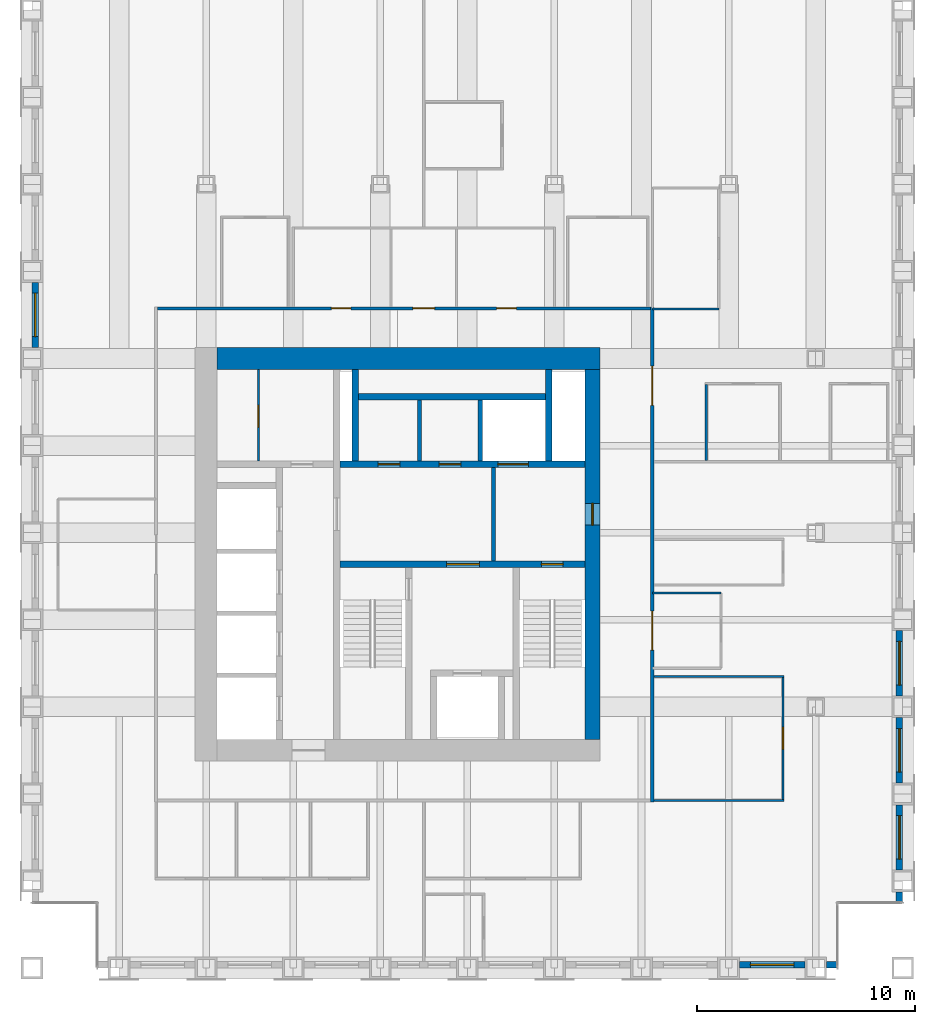
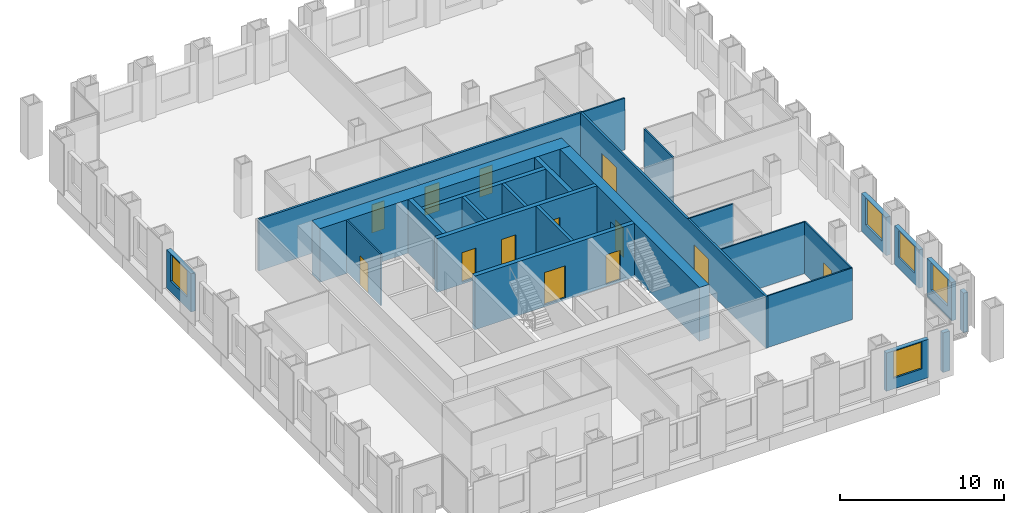
# One storey, part 10 of 14: 26 walls, 13 doors, 5 windows, 18 openings.
"""IFC4 building model written with IfcOpenShell, lengths in metres."""

from ifc_helpers import new_model, si_unit, direction, frame, frame_2d, origin, place, context, subcontext, project, spatial, rectangle, extrude, material, layer, layer_set, type_object, element, fill, save


model = new_model("IFC4")

# Units and contexts
model_context = context("Model", 3, precision=1e-05, world=origin(), true_north=direction((0.0, 1.0)))
body_context = subcontext(model_context, "Body", "Model", "MODEL_VIEW")
ifc_project = project(units=[si_unit("LENGTHUNIT", "METRE"), si_unit("AREAUNIT", "SQUARE_METRE"), si_unit("VOLUMEUNIT", "CUBIC_METRE"), si_unit("PLANEANGLEUNIT", "RADIAN"), si_unit("MASSUNIT", "GRAM", prefix="KILO")], contexts=[model_context])

# Site, building, storey
site_placement = place(None, origin())
site = spatial("IfcSite", under=ifc_project, at=site_placement, CompositionType="ELEMENT")
building_placement = place(site_placement, origin())
building = spatial("IfcBuilding", under=site, at=building_placement, Name="Rimbunsela Tower", CompositionType="ELEMENT")
storey_placement = place(building_placement, frame((0.0, 0.0, 230.199951171875)))
storey = spatial("IfcBuildingStorey", under=building, at=storey_placement, Name="L55", CompositionType="ELEMENT", Elevation=230.199951171875)

# Wall, openings, doors
ifc_material_1 = material(Name="Concrete fc' 80 MPa", Category="concrete")
ifc_layer_1 = layer(ifc_material_1, 0.300048828125)
ifc_layer_set_1 = layer_set([ifc_layer_1], Name="Core internal wall 300")
wall_type_1 = type_object("IfcWallType", Name="Core internal wall 300", PredefinedType="SHEAR", material=ifc_layer_set_1)
wall_1_placement = place(storey_placement, frame((24.14990234375, 26.550048828125, -0.14990234375), z_axis=(0.0, 0.0, 1.0), x_axis=(1.0, 0.0, 0.0)))
wall_1 = element("IfcWall", 1, at=wall_1_placement, inside=storey, type_object=wall_type_1, Name="Core wall lobby south", PredefinedType="SHEAR", context=body_context, shape_type="SweptSolid", body=[
    extrude(rectangle(XDim=11.25, YDim=0.300048828125, at=frame_2d((5.625, 0.0))), origin(), (0.0, 0.0, 1.0), 4.0),
])
opening_1_placement = place(wall_1_placement, frame((9.25, 0.0, 0.14990234375)))
opening_1 = element("IfcOpeningElement", 2, at=opening_1_placement, cuts=wall_1, Name="Opening D01", PredefinedType="OPENING", context=body_context, shape_type="SweptSolid", body=[
    extrude(rectangle(XDim=1.0, YDim=2.199951171875, at=frame_2d((0.5, 1.10009765625))), frame((0.0, 0.159912109375, 0.0), z_axis=(0.0, -1.0, 0.0), x_axis=(1.0, 0.0, 0.0)), (0.0, 0.0, 1.0), 0.320068359375),
])
opening_2_placement = place(wall_1_placement, frame((4.89990234375, 0.0, 0.14990234375)))
opening_2 = element("IfcOpeningElement", 3, at=opening_2_placement, cuts=wall_1, Name="Opening D03", PredefinedType="OPENING", context=body_context, shape_type="SweptSolid", body=[
    extrude(rectangle(XDim=1.5, YDim=2.39990234375, at=frame_2d((0.75, 1.199951171875))), frame((0.0, 0.159912109375, 0.0), z_axis=(0.0, -1.0, 0.0), x_axis=(1.0, 0.0, 0.0)), (0.0, 0.0, 1.0), 0.320068359375),
])
ifc_material_2 = material(Name="Steel door, fire rated", Category="steel")
door_type_1 = type_object("IfcDoorType", Name="Core lobby door 1500", OperationType="DOUBLE_DOOR_DOUBLE_SWING", PredefinedType="DOOR", material=ifc_material_2)
door_1_placement = place(opening_2_placement, origin())
door_1 = element("IfcDoor", 4, at=door_1_placement, inside=storey, type_object=door_type_1, Name="Firefighting lobby door", OperationType="DOUBLE_DOOR_DOUBLE_SWING", OverallHeight=2.39990234375, OverallWidth=1.5, PredefinedType="DOOR", context=body_context, shape_type="SweptSolid", body=[
    extrude(rectangle(XDim=1.5, YDim=2.39990234375, at=frame_2d((0.75, 1.199951171875))), frame((0.0, 0.02490234375, 0.0), z_axis=(0.0, -1.0, 0.0), x_axis=(1.0, 0.0, 0.0)), (0.0, 0.0, 1.0), 0.050048828125),
])
fill(opening_2, door_1)
ifc_material_3 = material(Name="Steel door, fire rated", Category="steel")
door_type_2 = type_object("IfcDoorType", Name="Stair door 1000", OperationType="SINGLE_SWING_RIGHT", PredefinedType="DOOR", material=ifc_material_3)
door_2_placement = place(opening_1_placement, frame((1.0, 0.0, 0.0), z_axis=(0.0, 0.0, 1.0), x_axis=(-1.0, 0.0, 0.0)))
door_2 = element("IfcDoor", 5, at=door_2_placement, inside=storey, type_object=door_type_2, Name="Stair B door", OperationType="SINGLE_SWING_RIGHT", OverallHeight=2.199951171875, OverallWidth=1.0, PredefinedType="DOOR", context=body_context, shape_type="SweptSolid", body=[
    extrude(rectangle(XDim=1.0, YDim=2.199951171875, at=frame_2d((0.5, 1.10009765625))), frame((0.0, 0.02490234375, 0.0), z_axis=(0.0, -1.0, 0.0), x_axis=(1.0, 0.0, 0.0)), (0.0, 0.0, 1.0), 0.050048828125),
])
fill(opening_1, door_2)

wall_2_placement = place(storey_placement, frame((24.14990234375, 31.14990234375, -0.14990234375), z_axis=(0.0, 0.0, 1.0), x_axis=(1.0, 0.0, 0.0)))
wall_2 = element("IfcWall", 6, at=wall_2_placement, inside=storey, type_object=wall_type_1, Name="Lift shaft front north", PredefinedType="SHEAR", context=body_context, shape_type="SweptSolid", body=[
    extrude(rectangle(XDim=11.25, YDim=0.300048828125, at=frame_2d((5.625, 0.0))), origin(), (0.0, 0.0, 1.0), 4.0),
])
opening_3_placement = place(wall_2_placement, frame((1.75, 0.0, 0.14990234375)))
opening_3 = element("IfcOpeningElement", 7, at=opening_3_placement, cuts=wall_2, Name="Opening D19", PredefinedType="OPENING", context=body_context, shape_type="SweptSolid", body=[
    extrude(rectangle(XDim=1.0, YDim=2.199951171875, at=frame_2d((0.5, 1.10009765625))), frame((0.0, 0.159912109375, 0.0), z_axis=(0.0, -1.0, 0.0), x_axis=(1.0, 0.0, 0.0)), (0.0, 0.0, 1.0), 0.320068359375),
])
opening_4_placement = place(wall_2_placement, frame((4.550048828125, 0.0, 0.14990234375)))
opening_4 = element("IfcOpeningElement", 8, at=opening_4_placement, cuts=wall_2, Name="Opening D19", PredefinedType="OPENING", context=body_context, shape_type="SweptSolid", body=[
    extrude(rectangle(XDim=1.0, YDim=2.199951171875, at=frame_2d((0.5, 1.10009765625))), frame((0.0, 0.159912109375, 0.0), z_axis=(0.0, -1.0, 0.0), x_axis=(1.0, 0.0, 0.0)), (0.0, 0.0, 1.0), 0.320068359375),
])
opening_5_placement = place(wall_2_placement, frame((7.25, 0.0, 0.14990234375)))
opening_5 = element("IfcOpeningElement", 9, at=opening_5_placement, cuts=wall_2, Name="Opening LD3", PredefinedType="OPENING", context=body_context, shape_type="SweptSolid", body=[
    extrude(rectangle(XDim=1.39990234375, YDim=2.39990234375, at=frame_2d((0.699951171875, 1.199951171875))), frame((0.0, 0.159912109375, 0.0), z_axis=(0.0, -1.0, 0.0), x_axis=(1.0, 0.0, 0.0)), (0.0, 0.0, 1.0), 0.320068359375),
])
ifc_material_4 = material(Name="Steel door, fire rated", Category="steel")
door_type_3 = type_object("IfcDoorType", Name="Lift landing door 1400", OperationType="DOUBLE_DOOR_SLIDING", PredefinedType="DOOR", material=ifc_material_4)
door_3_placement = place(opening_5_placement, origin())
door_3 = element("IfcDoor", 10, at=door_3_placement, inside=storey, type_object=door_type_3, Name="Lift landing door FL2", OperationType="DOUBLE_DOOR_SLIDING", OverallHeight=2.39990234375, OverallWidth=1.39990234375, PredefinedType="DOOR", context=body_context, shape_type="SweptSolid", body=[
    extrude(rectangle(XDim=1.39990234375, YDim=2.39990234375, at=frame_2d((0.699951171875, 1.199951171875))), frame((0.0, 0.02490234375, 0.0), z_axis=(0.0, -1.0, 0.0), x_axis=(1.0, 0.0, 0.0)), (0.0, 0.0, 1.0), 0.050048828125),
])
fill(opening_5, door_3)
ifc_material_5 = material(Name="Steel door, fire rated", Category="steel")
door_type_4 = type_object("IfcDoorType", Name="Service door 1000 fire rated", OperationType="SINGLE_SWING_LEFT", PredefinedType="DOOR", material=ifc_material_5)
door_4_placement = place(opening_3_placement, origin())
door_4 = element("IfcDoor", 11, at=door_4_placement, inside=storey, type_object=door_type_4, Name="IT room door", OperationType="SINGLE_SWING_LEFT", OverallHeight=2.199951171875, OverallWidth=1.0, PredefinedType="DOOR", context=body_context, shape_type="SweptSolid", body=[
    extrude(rectangle(XDim=1.0, YDim=2.199951171875, at=frame_2d((0.5, 1.10009765625))), frame((0.0, 0.02490234375, 0.0), z_axis=(0.0, -1.0, 0.0), x_axis=(1.0, 0.0, 0.0)), (0.0, 0.0, 1.0), 0.050048828125),
])
fill(opening_3, door_4)
door_5_placement = place(opening_4_placement, origin())
door_5 = element("IfcDoor", 12, at=door_5_placement, inside=storey, type_object=door_type_4, Name="Tenant store door", OperationType="SINGLE_SWING_LEFT", OverallHeight=2.199951171875, OverallWidth=1.0, PredefinedType="DOOR", context=body_context, shape_type="SweptSolid", body=[
    extrude(rectangle(XDim=1.0, YDim=2.199951171875, at=frame_2d((0.5, 1.10009765625))), frame((0.0, 0.02490234375, 0.0), z_axis=(0.0, -1.0, 0.0), x_axis=(1.0, 0.0, 0.0)), (0.0, 0.0, 1.0), 0.050048828125),
])
fill(opening_4, door_5)

# Walls
for number, where, z_axis, x_axis, name in (
    (13, (24.85009765625, 31.300048828125, -0.14990234375), (0.0, 0.0, 1.0), (0.0, 1.0, 0.0), "Riser wall"),
    (14, (33.75, 31.300048828125, -0.14990234375), (0.0, 0.0, 1.0), (0.0, 1.0, 0.0), "Riser wall"),
):
    element("IfcWall", number, at=place(storey_placement, frame(where, z_axis=z_axis, x_axis=x_axis)), inside=storey, type_object=wall_type_1, Name=name, PredefinedType="SHEAR", context=body_context, shape_type="SweptSolid", body=[
        extrude(rectangle(XDim=4.199951171875, YDim=0.300048828125, at=frame_2d((2.10009765625, 0.0))), origin(), (0.0, 0.0, 1.0), 4.0),
    ])
wall_3_placement = place(storey_placement, frame((25.0, 34.25, -0.14990234375), z_axis=(0.0, 0.0, 1.0), x_axis=(1.0, 0.0, 0.0)))
element("IfcWall", 15, at=wall_3_placement, inside=storey, type_object=wall_type_1, Name="Lift shaft rear north", PredefinedType="SHEAR", context=body_context, shape_type="SweptSolid", body=[
    extrude(rectangle(XDim=8.60009765625, YDim=0.300048828125, at=frame_2d((4.300048828125, 0.0))), origin(), (0.0, 0.0, 1.0), 4.0),
])

# Wall, opening, door
ifc_material_6 = material(Name="Concrete blockwork", Category="masonry")
ifc_layer_2 = layer(ifc_material_6, 0.10009765625)
ifc_layer_set_2 = layer_set([ifc_layer_2], Name="Core room partition 100")
wall_type_2 = type_object("IfcWallType", Name="Core room partition 100", PredefinedType="PARTITIONING", material=ifc_layer_set_2)
wall_4_placement = place(storey_placement, frame((20.39990234375, 31.300048828125, 0.0), z_axis=(0.0, 0.0, 1.0), x_axis=(0.0, 1.0, 0.0)))
wall_4 = element("IfcWall", 16, at=wall_4_placement, inside=storey, type_object=wall_type_2, Name="Equipment store wall", PredefinedType="PARTITIONING", context=body_context, shape_type="SweptSolid", body=[
    extrude(rectangle(XDim=4.199951171875, YDim=0.10009765625, at=frame_2d((2.10009765625, 0.0))), origin(), (0.0, 0.0, 1.0), 3.85009765625),
])
opening_6_placement = place(wall_4_placement, frame((1.550048828125, 0.0, 0.0)))
opening_6 = element("IfcOpeningElement", 17, at=opening_6_placement, cuts=wall_4, Name="Opening D19", PredefinedType="OPENING", context=body_context, shape_type="SweptSolid", body=[
    extrude(rectangle(XDim=1.0, YDim=2.199951171875, at=frame_2d((0.5, 1.10009765625))), frame((0.0, 0.06005859375, 0.0), z_axis=(0.0, -1.0, 0.0), x_axis=(1.0, 0.0, 0.0)), (0.0, 0.0, 1.0), 0.1201171875),
])
door_6_placement = place(opening_6_placement, origin())
door_6 = element("IfcDoor", 18, at=door_6_placement, inside=storey, type_object=door_type_4, Name="Equipment store door", OperationType="SINGLE_SWING_LEFT", OverallHeight=2.199951171875, OverallWidth=1.0, PredefinedType="DOOR", context=body_context, shape_type="SweptSolid", body=[
    extrude(rectangle(XDim=1.0, YDim=2.199951171875, at=frame_2d((0.5, 1.10009765625))), frame((0.0, 0.02490234375, 0.0), z_axis=(0.0, -1.0, 0.0), x_axis=(1.0, 0.0, 0.0)), (0.0, 0.0, 1.0), 0.050048828125),
])
fill(opening_6, door_6)

# Wall
ifc_material_7 = material(Name="Concrete fc' 80 MPa", Category="concrete")
ifc_layer_3 = layer(ifc_material_7, 1.0)
ifc_layer_set_3 = layer_set([ifc_layer_3], Name="Core wall 1000")
wall_type_3 = type_object("IfcWallType", Name="Core wall 1000", PredefinedType="SHEAR", material=ifc_layer_set_3)
wall_5_placement = place(storey_placement, frame((18.5, 36.0, -0.14990234375), z_axis=(0.0, 0.0, 1.0), x_axis=(1.0, 0.0, 0.0)))
element("IfcWall", 19, at=wall_5_placement, inside=storey, type_object=wall_type_3, Name="Core wall north", PredefinedType="SHEAR", context=body_context, shape_type="SweptSolid", body=[
    extrude(rectangle(XDim=17.60009765625, YDim=1.0, at=frame_2d((8.800048828125, 0.0))), origin(), (0.0, 0.0, 1.0), 4.0),
])

# Wall, opening, door
ifc_material_8 = material(Name="Concrete fc' 80 MPa", Category="concrete")
ifc_layer_4 = layer(ifc_material_8, 0.699951171875)
ifc_layer_set_4 = layer_set([ifc_layer_4], Name="Core wall 700 east")
wall_type_4 = type_object("IfcWallType", Name="Core wall 700 east", PredefinedType="SHEAR", material=ifc_layer_set_4)
wall_6_placement = place(storey_placement, frame((35.75, 18.5, -0.14990234375), z_axis=(0.0, 0.0, 1.0), x_axis=(0.0, 1.0, 0.0)))
wall_6 = element("IfcWall", 20, at=wall_6_placement, inside=storey, type_object=wall_type_4, Name="Core wall east", PredefinedType="SHEAR", context=body_context, shape_type="SweptSolid", body=[
    extrude(rectangle(XDim=17.0, YDim=0.699951171875, at=frame_2d((8.5, 0.0))), origin(), (0.0, 0.0, 1.0), 4.0),
])
opening_7_placement = place(wall_6_placement, frame((9.85009765625, 0.0, 0.14990234375)))
opening_7 = element("IfcOpeningElement", 21, at=opening_7_placement, cuts=wall_6, Name="Opening D01", PredefinedType="OPENING", context=body_context, shape_type="SweptSolid", body=[
    extrude(rectangle(XDim=1.0, YDim=2.199951171875, at=frame_2d((0.5, 1.10009765625))), frame((0.0, 0.35986328125, 0.0), z_axis=(0.0, -1.0, 0.0), x_axis=(1.0, 0.0, 0.0)), (0.0, 0.0, 1.0), 0.719970703125),
])
door_7_placement = place(opening_7_placement, origin())
door_7 = element("IfcDoor", 22, at=door_7_placement, inside=storey, type_object=door_type_2, Name="Firefighting lobby 2 door", OperationType="SINGLE_SWING_RIGHT", OverallHeight=2.199951171875, OverallWidth=1.0, PredefinedType="DOOR", context=body_context, shape_type="SweptSolid", body=[
    extrude(rectangle(XDim=1.0, YDim=2.199951171875, at=frame_2d((0.5, 1.10009765625))), frame((0.0, 0.02490234375, 0.0), z_axis=(0.0, -1.0, 0.0), x_axis=(1.0, 0.0, 0.0)), (0.0, 0.0, 1.0), 0.050048828125),
])
fill(opening_7, door_7)

# Walls
ifc_material_9 = material(Name="Concrete blockwork", Category="masonry")
ifc_layer_5 = layer(ifc_material_9, 0.199951171875)
ifc_layer_set_5 = layer_set([ifc_layer_5], Name="Lift shaft wall 200")
wall_type_5 = type_object("IfcWallType", Name="Lift shaft wall 200", PredefinedType="SOLIDWALL", material=ifc_layer_set_5)
for number, where, z_axis, x_axis, name in (
    (23, (27.800048828125, 31.300048828125, -0.14990234375), (0.0, 0.0, 1.0), (0.0, 1.0, 0.0), "Lift shaft separation"),
    (24, (30.60009765625, 31.300048828125, -0.14990234375), (0.0, 0.0, 1.0), (0.0, 1.0, 0.0), "Lift shaft separation"),
):
    element("IfcWall", number, at=place(storey_placement, frame(where, z_axis=z_axis, x_axis=x_axis)), inside=storey, type_object=wall_type_5, Name=name, PredefinedType="SOLIDWALL", context=body_context, shape_type="SweptSolid", body=[
        extrude(rectangle(XDim=2.800048828125, YDim=0.199951171875, at=frame_2d((1.39990234375, 0.0))), origin(), (0.0, 0.0, 1.0), 4.0),
    ])
wall_7_placement = place(storey_placement, frame((31.199951171875, 26.699951171875, 0.0), z_axis=(0.0, 0.0, 1.0), x_axis=(0.0, 1.0, 0.0)))
element("IfcWall", 25, at=wall_7_placement, inside=storey, type_object=wall_type_5, Name="Firefighting lobby 2 wall", PredefinedType="SOLIDWALL", context=body_context, shape_type="SweptSolid", body=[
    extrude(rectangle(XDim=4.300048828125, YDim=0.199951171875, at=frame_2d((2.14990234375, 0.0))), origin(), (0.0, 0.0, 1.0), 3.85009765625),
])
ifc_material_10 = material(Name="Gypsum board on steel studs", Category="steel")
ifc_layer_6 = layer(ifc_material_10, 0.10009765625)
ifc_layer_set_6 = layer_set([ifc_layer_6], Name="Office partition 100")
wall_type_6 = type_object("IfcWallType", Name="Office partition 100", PredefinedType="PARTITIONING", material=ifc_layer_set_6)
for number, where, z_axis, x_axis, name in (
    (26, (38.574951171875, 15.699951171875, 0.0), (0.0, 0.0, 1.0), (1.0, 0.0, 0.0), "Office partition"),
    (27, (38.574951171875, 21.39892578125, 0.0), (0.0, 0.0, 1.0), (1.0, 0.0, 0.0), "Office partition"),
):
    element("IfcWall", number, at=place(storey_placement, frame(where, z_axis=z_axis, x_axis=x_axis)), inside=storey, type_object=wall_type_6, Name=name, PredefinedType="PARTITIONING", context=body_context, shape_type="SweptSolid", body=[
        extrude(rectangle(XDim=5.97509765625, YDim=0.10009765625, at=frame_2d((2.987548828125, 0.0))), origin(), (0.0, 0.0, 1.0), 3.85009765625),
    ])
wall_8_placement = place(storey_placement, frame((40.97509765625, 31.31005859375, 0.0), z_axis=(0.0, 0.0, 1.0), x_axis=(0.0, 1.0, 0.0)))
element("IfcWall", 28, at=wall_8_placement, inside=storey, type_object=wall_type_6, Name="Office partition", PredefinedType="PARTITIONING", context=body_context, shape_type="SweptSolid", body=[
    extrude(rectangle(XDim=3.489990234375, YDim=0.10009765625, at=frame_2d((1.7451171875, 0.0))), origin(), (0.0, 0.0, 1.0), 3.85009765625),
])

# Wall, opening, door
wall_9_placement = place(storey_placement, frame((44.5, 15.75, 0.0), z_axis=(0.0, 0.0, 1.0), x_axis=(0.0, 1.0, 0.0)))
wall_9 = element("IfcWall", 29, at=wall_9_placement, inside=storey, type_object=wall_type_6, Name="Office partition", PredefinedType="PARTITIONING", context=body_context, shape_type="SweptSolid", body=[
    extrude(rectangle(XDim=5.59912109375, YDim=0.10009765625, at=frame_2d((2.799560546875, 0.0))), origin(), (0.0, 0.0, 1.0), 3.85009765625),
])
opening_8_placement = place(wall_9_placement, frame((2.299560546875, 0.0, 0.0)))
opening_8 = element("IfcOpeningElement", 30, at=opening_8_placement, cuts=wall_9, Name="Opening D16", PredefinedType="OPENING", context=body_context, shape_type="SweptSolid", body=[
    extrude(rectangle(XDim=1.0, YDim=2.199951171875, at=frame_2d((0.5, 1.10009765625))), frame((0.0, 0.06005859375, 0.0), z_axis=(0.0, -1.0, 0.0), x_axis=(1.0, 0.0, 0.0)), (0.0, 0.0, 1.0), 0.1201171875),
])
ifc_material_11 = material(Name="Timber door", Category="wood")
door_type_5 = type_object("IfcDoorType", Name="Office door 1000", OperationType="SINGLE_SWING_LEFT", PredefinedType="DOOR", material=ifc_material_11)
door_8_placement = place(opening_8_placement, origin())
door_8 = element("IfcDoor", 31, at=door_8_placement, inside=storey, type_object=door_type_5, Name="Office door", OperationType="SINGLE_SWING_LEFT", OverallHeight=2.199951171875, OverallWidth=1.0, PredefinedType="DOOR", context=body_context, shape_type="SweptSolid", body=[
    extrude(rectangle(XDim=1.0, YDim=2.199951171875, at=frame_2d((0.5, 1.10009765625))), frame((0.0, 0.02490234375, 0.0), z_axis=(0.0, -1.0, 0.0), x_axis=(1.0, 0.0, 0.0)), (0.0, 0.0, 1.0), 0.050048828125),
])
fill(opening_8, door_8)

# Walls
wall_10_placement = place(storey_placement, frame((41.64990234375, 25.22412109375, 0.0), z_axis=(0.0, 0.0, 1.0), x_axis=(-1.0, 0.0, 0.0)))
element("IfcWall", 32, at=wall_10_placement, inside=storey, type_object=wall_type_6, Name="Office partition", PredefinedType="PARTITIONING", context=body_context, shape_type="SweptSolid", body=[
    extrude(rectangle(XDim=3.14990234375, YDim=0.10009765625, at=frame_2d((1.574951171875, 0.0))), origin(), (0.0, 0.0, 1.0), 3.85009765625),
])
wall_11_placement = place(storey_placement, frame((38.5, 38.27587890625, 0.0), z_axis=(0.0, 0.0, 1.0), x_axis=(1.0, 0.0, 0.0)))
element("IfcWall", 33, at=wall_11_placement, inside=storey, type_object=wall_type_6, Name="Office partition", PredefinedType="PARTITIONING", context=body_context, shape_type="SweptSolid", body=[
    extrude(rectangle(XDim=3.050048828125, YDim=0.10009765625, at=frame_2d((1.52490234375, 0.0))), origin(), (0.0, 0.0, 1.0), 3.85009765625),
])

# Wall, opening, window
ifc_material_12 = material(Name="Precast concrete fc' 35 MPa", Category="concrete")
ifc_layer_7 = layer(ifc_material_12, 0.300048828125)
ifc_layer_set_7 = layer_set([ifc_layer_7], Name="Precast concrete fc' 35 MPa")
wall_type_7 = type_object("IfcWallType", Name="Precast facade panel 300", PredefinedType="ELEMENTEDWALL", material=ifc_layer_set_7)
wall_12_placement = place(storey_placement, frame((42.5, 8.14990234375, 0.0), z_axis=(0.0, 0.0, 1.0), x_axis=(1.0, 0.0, 0.0)))
wall_12 = element("IfcWall", 34, at=wall_12_placement, inside=storey, type_object=wall_type_7, Name="Facade panel S L55", PredefinedType="ELEMENTEDWALL", context=body_context, shape_type="SweptSolid", body=[
    extrude(rectangle(XDim=3.0, YDim=0.300048828125, at=frame_2d((1.5, 0.0))), origin(), (0.0, 0.0, 1.0), 2.85009765625),
])
opening_9_placement = place(wall_12_placement, frame((0.5, 0.0, 0.800048828125)))
opening_9 = element("IfcOpeningElement", 35, at=opening_9_placement, cuts=wall_12, Name="Opening W1", PredefinedType="OPENING", context=body_context, shape_type="SweptSolid", body=[
    extrude(rectangle(XDim=2.0, YDim=2.0, at=frame_2d((1.0, 1.0))), frame((0.0, 0.159912109375, 0.0), z_axis=(0.0, -1.0, 0.0), x_axis=(1.0, 0.0, 0.0)), (0.0, 0.0, 1.0), 0.320068359375),
])
ifc_material_13 = material(Name="Clear glass in aluminium frame", Category="aluminium")
window_type = type_object("IfcWindowType", Name="Window W1 2000x2000", PartitioningType="DOUBLE_PANEL_VERTICAL", PredefinedType="WINDOW", material=ifc_material_13)
window_1_placement = place(opening_9_placement, origin())
window_1 = element("IfcWindow", 36, at=window_1_placement, inside=storey, type_object=window_type, Name="Window L55", OverallHeight=2.0, OverallWidth=2.0, PartitioningType="SINGLE_PANEL", PredefinedType="WINDOW", context=body_context, shape_type="SweptSolid", body=[
    extrude(rectangle(XDim=2.0, YDim=2.0, at=frame_2d((1.0, 1.0))), frame((0.0, 0.030029296875, 0.0), z_axis=(0.0, -1.0, 0.0), x_axis=(1.0, 0.0, 0.0)), (0.0, 0.0, 1.0), 0.06005859375),
])
fill(opening_9, window_1)

# Walls
for number, where, z_axis, x_axis, name in (
    (37, (46.5, 8.14990234375, 0.0), (0.0, 0.0, 1.0), (1.0, 0.0, 0.0), "Facade panel S L55"),
    (38, (49.85009765625, 11.030029296875, 0.0), (0.0, 0.0, 1.0), (0.0, 1.0, 0.0), "Facade panel E L55"),
):
    element("IfcWall", number, at=place(storey_placement, frame(where, z_axis=z_axis, x_axis=x_axis)), inside=storey, type_object=wall_type_7, Name=name, PredefinedType="ELEMENTEDWALL", context=body_context, shape_type="SweptSolid", body=[
        extrude(rectangle(XDim=0.469970703125, YDim=0.300048828125, at=frame_2d((0.23486328125, 0.0))), origin(), (0.0, 0.0, 1.0), 2.949951171875),
    ])

# Wall, opening, window
wall_13_placement = place(storey_placement, frame((49.85009765625, 12.5, 0.0), z_axis=(0.0, 0.0, 1.0), x_axis=(0.0, 1.0, 0.0)))
wall_13 = element("IfcWall", 39, at=wall_13_placement, inside=storey, type_object=wall_type_7, Name="Facade panel E L55", PredefinedType="ELEMENTEDWALL", context=body_context, shape_type="SweptSolid", body=[
    extrude(rectangle(XDim=3.0, YDim=0.300048828125, at=frame_2d((1.5, 0.0))), origin(), (0.0, 0.0, 1.0), 2.85009765625),
])
opening_10_placement = place(wall_13_placement, frame((0.5, 0.0, 0.800048828125)))
opening_10 = element("IfcOpeningElement", 40, at=opening_10_placement, cuts=wall_13, Name="Opening W1", PredefinedType="OPENING", context=body_context, shape_type="SweptSolid", body=[
    extrude(rectangle(XDim=2.0, YDim=2.0, at=frame_2d((1.0, 1.0))), frame((0.0, 0.159912109375, 0.0), z_axis=(0.0, -1.0, 0.0), x_axis=(1.0, 0.0, 0.0)), (0.0, 0.0, 1.0), 0.320068359375),
])
window_2_placement = place(opening_10_placement, origin())
window_2 = element("IfcWindow", 41, at=window_2_placement, inside=storey, type_object=window_type, Name="Window L55", OverallHeight=2.0, OverallWidth=2.0, PartitioningType="SINGLE_PANEL", PredefinedType="WINDOW", context=body_context, shape_type="SweptSolid", body=[
    extrude(rectangle(XDim=2.0, YDim=2.0, at=frame_2d((1.0, 1.0))), frame((0.0, 0.030029296875, 0.0), z_axis=(0.0, -1.0, 0.0), x_axis=(1.0, 0.0, 0.0)), (0.0, 0.0, 1.0), 0.06005859375),
])
fill(opening_10, window_2)

wall_14_placement = place(storey_placement, frame((49.85009765625, 16.5, 0.0), z_axis=(0.0, 0.0, 1.0), x_axis=(0.0, 1.0, 0.0)))
wall_14 = element("IfcWall", 42, at=wall_14_placement, inside=storey, type_object=wall_type_7, Name="Facade panel E L55", PredefinedType="ELEMENTEDWALL", context=body_context, shape_type="SweptSolid", body=[
    extrude(rectangle(XDim=3.0, YDim=0.300048828125, at=frame_2d((1.5, 0.0))), origin(), (0.0, 0.0, 1.0), 2.85009765625),
])
opening_11_placement = place(wall_14_placement, frame((0.5, 0.0, 0.800048828125)))
opening_11 = element("IfcOpeningElement", 43, at=opening_11_placement, cuts=wall_14, Name="Opening W1", PredefinedType="OPENING", context=body_context, shape_type="SweptSolid", body=[
    extrude(rectangle(XDim=2.0, YDim=2.0, at=frame_2d((1.0, 1.0))), frame((0.0, 0.159912109375, 0.0), z_axis=(0.0, -1.0, 0.0), x_axis=(1.0, 0.0, 0.0)), (0.0, 0.0, 1.0), 0.320068359375),
])
window_3_placement = place(opening_11_placement, origin())
window_3 = element("IfcWindow", 44, at=window_3_placement, inside=storey, type_object=window_type, Name="Window L55", OverallHeight=2.0, OverallWidth=2.0, PartitioningType="SINGLE_PANEL", PredefinedType="WINDOW", context=body_context, shape_type="SweptSolid", body=[
    extrude(rectangle(XDim=2.0, YDim=2.0, at=frame_2d((1.0, 1.0))), frame((0.0, 0.030029296875, 0.0), z_axis=(0.0, -1.0, 0.0), x_axis=(1.0, 0.0, 0.0)), (0.0, 0.0, 1.0), 0.06005859375),
])
fill(opening_11, window_3)

wall_15_placement = place(storey_placement, frame((49.85009765625, 20.5, 0.0), z_axis=(0.0, 0.0, 1.0), x_axis=(0.0, 1.0, 0.0)))
wall_15 = element("IfcWall", 45, at=wall_15_placement, inside=storey, type_object=wall_type_7, Name="Facade panel E L55", PredefinedType="ELEMENTEDWALL", context=body_context, shape_type="SweptSolid", body=[
    extrude(rectangle(XDim=3.0, YDim=0.300048828125, at=frame_2d((1.5, 0.0))), origin(), (0.0, 0.0, 1.0), 2.85009765625),
])
opening_12_placement = place(wall_15_placement, frame((0.5, 0.0, 0.800048828125)))
opening_12 = element("IfcOpeningElement", 46, at=opening_12_placement, cuts=wall_15, Name="Opening W1", PredefinedType="OPENING", context=body_context, shape_type="SweptSolid", body=[
    extrude(rectangle(XDim=2.0, YDim=2.0, at=frame_2d((1.0, 1.0))), frame((0.0, 0.159912109375, 0.0), z_axis=(0.0, -1.0, 0.0), x_axis=(1.0, 0.0, 0.0)), (0.0, 0.0, 1.0), 0.320068359375),
])
window_4_placement = place(opening_12_placement, origin())
window_4 = element("IfcWindow", 47, at=window_4_placement, inside=storey, type_object=window_type, Name="Window L55", OverallHeight=2.0, OverallWidth=2.0, PartitioningType="SINGLE_PANEL", PredefinedType="WINDOW", context=body_context, shape_type="SweptSolid", body=[
    extrude(rectangle(XDim=2.0, YDim=2.0, at=frame_2d((1.0, 1.0))), frame((0.0, 0.030029296875, 0.0), z_axis=(0.0, -1.0, 0.0), x_axis=(1.0, 0.0, 0.0)), (0.0, 0.0, 1.0), 0.06005859375),
])
fill(opening_12, window_4)

wall_16_placement = place(storey_placement, frame((10.14990234375, 39.5, 0.0), z_axis=(0.0, 0.0, 1.0), x_axis=(0.0, -1.0, 0.0)))
wall_16 = element("IfcWall", 48, at=wall_16_placement, inside=storey, type_object=wall_type_7, Name="Facade panel W L55", PredefinedType="ELEMENTEDWALL", context=body_context, shape_type="SweptSolid", body=[
    extrude(rectangle(XDim=3.0, YDim=0.300048828125, at=frame_2d((1.5, 0.0))), origin(), (0.0, 0.0, 1.0), 2.85009765625),
])
opening_13_placement = place(wall_16_placement, frame((0.5, 0.0, 0.800048828125)))
opening_13 = element("IfcOpeningElement", 49, at=opening_13_placement, cuts=wall_16, Name="Opening W1", PredefinedType="OPENING", context=body_context, shape_type="SweptSolid", body=[
    extrude(rectangle(XDim=2.0, YDim=2.0, at=frame_2d((1.0, 1.0))), frame((0.0, 0.159912109375, 0.0), z_axis=(0.0, -1.0, 0.0), x_axis=(1.0, 0.0, 0.0)), (0.0, 0.0, 1.0), 0.320068359375),
])
window_5_placement = place(opening_13_placement, origin())
window_5 = element("IfcWindow", 50, at=window_5_placement, inside=storey, type_object=window_type, Name="Window L55", OverallHeight=2.0, OverallWidth=2.0, PartitioningType="SINGLE_PANEL", PredefinedType="WINDOW", context=body_context, shape_type="SweptSolid", body=[
    extrude(rectangle(XDim=2.0, YDim=2.0, at=frame_2d((1.0, 1.0))), frame((0.0, 0.030029296875, 0.0), z_axis=(0.0, -1.0, 0.0), x_axis=(1.0, 0.0, 0.0)), (0.0, 0.0, 1.0), 0.06005859375),
])
fill(opening_13, window_5)

# Wall, openings, doors
ifc_material_14 = material(Name="Fire-rated gypsum board on steel studs, EI 60", Category="steel")
ifc_layer_8 = layer(ifc_material_14, 0.14990234375)
ifc_layer_set_8 = layer_set([ifc_layer_8], Name="Rated corridor wall 150")
wall_type_8 = type_object("IfcWallType", Name="Rated corridor wall 150", PredefinedType="PARTITIONING", material=ifc_layer_set_8)
wall_17_placement = place(storey_placement, frame((38.5, 15.625, 0.0), z_axis=(0.0, 0.0, 1.0), x_axis=(0.0, 1.0, 0.0)))
wall_17 = element("IfcWall", 51, at=wall_17_placement, inside=storey, type_object=wall_type_8, Name="Corridor wall east", PredefinedType="PARTITIONING", context=body_context, shape_type="SweptSolid", body=[
    extrude(rectangle(XDim=22.75, YDim=0.14990234375, at=frame_2d((11.375, 0.0))), origin(), (0.0, 0.0, 1.0), 3.85009765625),
])
opening_14_placement = place(wall_17_placement, frame((6.97412109375, 0.0, 0.0)))
opening_14 = element("IfcOpeningElement", 52, at=opening_14_placement, cuts=wall_17, Name="Opening D09", PredefinedType="OPENING", context=body_context, shape_type="SweptSolid", body=[
    extrude(rectangle(XDim=1.800048828125, YDim=2.39990234375, at=frame_2d((0.89990234375, 1.199951171875))), frame((0.0, 0.0849609375, 0.0), z_axis=(0.0, -1.0, 0.0), x_axis=(1.0, 0.0, 0.0)), (0.0, 0.0, 1.0), 0.169921875),
])
opening_15_placement = place(wall_17_placement, frame((18.22607421875, 0.0, 0.0)))
opening_15 = element("IfcOpeningElement", 53, at=opening_15_placement, cuts=wall_17, Name="Opening D09", PredefinedType="OPENING", context=body_context, shape_type="SweptSolid", body=[
    extrude(rectangle(XDim=1.800048828125, YDim=2.39990234375, at=frame_2d((0.89990234375, 1.199951171875))), frame((0.0, 0.0849609375, 0.0), z_axis=(0.0, -1.0, 0.0), x_axis=(1.0, 0.0, 0.0)), (0.0, 0.0, 1.0), 0.169921875),
])
ifc_material_15 = material(Name="Glazed aluminium door, fire rated", Category="aluminium")
door_type_6 = type_object("IfcDoorType", Name="Tenancy door 1800 glazed", OperationType="DOUBLE_DOOR_DOUBLE_SWING", PredefinedType="DOOR", material=ifc_material_15)
door_9_placement = place(opening_14_placement, origin())
door_9 = element("IfcDoor", 54, at=door_9_placement, inside=storey, type_object=door_type_6, Name="Tenancy door", OperationType="DOUBLE_DOOR_DOUBLE_SWING", OverallHeight=2.39990234375, OverallWidth=1.800048828125, PredefinedType="DOOR", context=body_context, shape_type="SweptSolid", body=[
    extrude(rectangle(XDim=1.800048828125, YDim=2.39990234375, at=frame_2d((0.89990234375, 1.199951171875))), frame((0.0, 0.02490234375, 0.0), z_axis=(0.0, -1.0, 0.0), x_axis=(1.0, 0.0, 0.0)), (0.0, 0.0, 1.0), 0.050048828125),
])
fill(opening_14, door_9)
door_10_placement = place(opening_15_placement, origin())
door_10 = element("IfcDoor", 55, at=door_10_placement, inside=storey, type_object=door_type_6, Name="Tenancy door", OperationType="DOUBLE_DOOR_DOUBLE_SWING", OverallHeight=2.39990234375, OverallWidth=1.800048828125, PredefinedType="DOOR", context=body_context, shape_type="SweptSolid", body=[
    extrude(rectangle(XDim=1.800048828125, YDim=2.39990234375, at=frame_2d((0.89990234375, 1.199951171875))), frame((0.0, 0.02490234375, 0.0), z_axis=(0.0, -1.0, 0.0), x_axis=(1.0, 0.0, 0.0)), (0.0, 0.0, 1.0), 0.050048828125),
])
fill(opening_15, door_10)

wall_18_placement = place(storey_placement, frame((15.77490234375, 38.300048828125, 0.0), z_axis=(0.0, 0.0, 1.0), x_axis=(1.0, 0.0, 0.0)))
wall_18 = element("IfcWall", 56, at=wall_18_placement, inside=storey, type_object=wall_type_8, Name="Corridor wall north", PredefinedType="PARTITIONING", context=body_context, shape_type="SweptSolid", body=[
    extrude(rectangle(XDim=22.650146484375, YDim=0.14990234375, at=frame_2d((11.3251953125, 0.0))), origin(), (0.0, 0.0, 1.0), 3.85009765625),
])
opening_16_placement = place(wall_18_placement, frame((7.97509765625, 0.0, 0.0)))
opening_16 = element("IfcOpeningElement", 57, at=opening_16_placement, cuts=wall_18, Name="Opening D04", PredefinedType="OPENING", context=body_context, shape_type="SweptSolid", body=[
    extrude(rectangle(XDim=0.89990234375, YDim=2.10009765625, at=frame_2d((0.449951171875, 1.050048828125))), frame((0.0, 0.0849609375, 0.0), z_axis=(0.0, -1.0, 0.0), x_axis=(1.0, 0.0, 0.0)), (0.0, 0.0, 1.0), 0.169921875),
])
opening_17_placement = place(wall_18_placement, frame((11.72509765625, 0.0, 0.0)))
opening_17 = element("IfcOpeningElement", 58, at=opening_17_placement, cuts=wall_18, Name="Opening D05", PredefinedType="OPENING", context=body_context, shape_type="SweptSolid", body=[
    extrude(rectangle(XDim=1.0, YDim=2.10009765625, at=frame_2d((0.5, 1.050048828125))), frame((0.0, 0.0849609375, 0.0), z_axis=(0.0, -1.0, 0.0), x_axis=(1.0, 0.0, 0.0)), (0.0, 0.0, 1.0), 0.169921875),
])
opening_18_placement = place(wall_18_placement, frame((15.574951171875, 0.0, 0.0)))
opening_18 = element("IfcOpeningElement", 59, at=opening_18_placement, cuts=wall_18, Name="Opening D04", PredefinedType="OPENING", context=body_context, shape_type="SweptSolid", body=[
    extrude(rectangle(XDim=0.89990234375, YDim=2.10009765625, at=frame_2d((0.449951171875, 1.050048828125))), frame((0.0, 0.0849609375, 0.0), z_axis=(0.0, -1.0, 0.0), x_axis=(1.0, 0.0, 0.0)), (0.0, 0.0, 1.0), 0.169921875),
])
ifc_material_16 = material(Name="Timber door", Category="wood")
door_type_7 = type_object("IfcDoorType", Name="Accessible WC door 1000", OperationType="SLIDING_TO_LEFT", PredefinedType="DOOR", material=ifc_material_16)
door_11_placement = place(opening_17_placement, origin())
door_11 = element("IfcDoor", 60, at=door_11_placement, inside=storey, type_object=door_type_7, Name="Accessible WC door", OperationType="SLIDING_TO_LEFT", OverallHeight=2.10009765625, OverallWidth=1.0, PredefinedType="DOOR", context=body_context, shape_type="SweptSolid", body=[
    extrude(rectangle(XDim=1.0, YDim=2.10009765625, at=frame_2d((0.5, 1.050048828125))), frame((0.0, 0.02490234375, 0.0), z_axis=(0.0, -1.0, 0.0), x_axis=(1.0, 0.0, 0.0)), (0.0, 0.0, 1.0), 0.050048828125),
])
fill(opening_17, door_11)
ifc_material_17 = material(Name="Timber door", Category="wood")
door_type_8 = type_object("IfcDoorType", Name="Toilet door 900", OperationType="SINGLE_SWING_LEFT", PredefinedType="DOOR", material=ifc_material_17)
door_12_placement = place(opening_16_placement, origin())
door_12 = element("IfcDoor", 61, at=door_12_placement, inside=storey, type_object=door_type_8, Name="Female WC door", OperationType="SINGLE_SWING_LEFT", OverallHeight=2.10009765625, OverallWidth=0.89990234375, PredefinedType="DOOR", context=body_context, shape_type="SweptSolid", body=[
    extrude(rectangle(XDim=0.89990234375, YDim=2.10009765625, at=frame_2d((0.449951171875, 1.050048828125))), frame((0.0, 0.02490234375, 0.0), z_axis=(0.0, -1.0, 0.0), x_axis=(1.0, 0.0, 0.0)), (0.0, 0.0, 1.0), 0.050048828125),
])
fill(opening_16, door_12)
door_13_placement = place(opening_18_placement, origin())
door_13 = element("IfcDoor", 62, at=door_13_placement, inside=storey, type_object=door_type_8, Name="Male WC door", OperationType="SINGLE_SWING_LEFT", OverallHeight=2.10009765625, OverallWidth=0.89990234375, PredefinedType="DOOR", context=body_context, shape_type="SweptSolid", body=[
    extrude(rectangle(XDim=0.89990234375, YDim=2.10009765625, at=frame_2d((0.449951171875, 1.050048828125))), frame((0.0, 0.02490234375, 0.0), z_axis=(0.0, -1.0, 0.0), x_axis=(1.0, 0.0, 0.0)), (0.0, 0.0, 1.0), 0.050048828125),
])
fill(opening_18, door_13)

save(model, "model.ifc")
